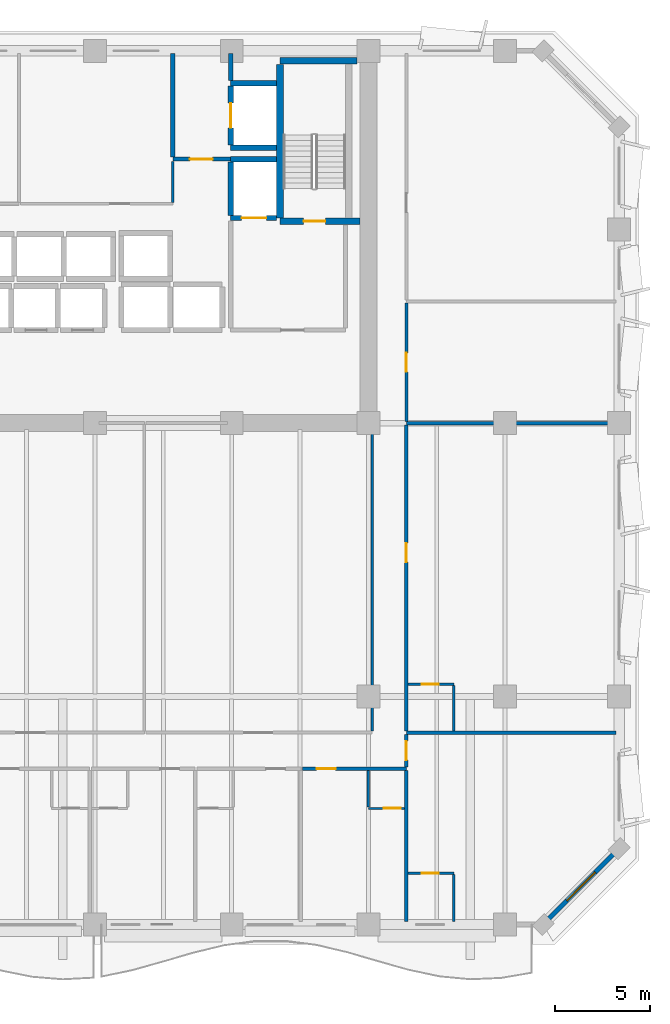
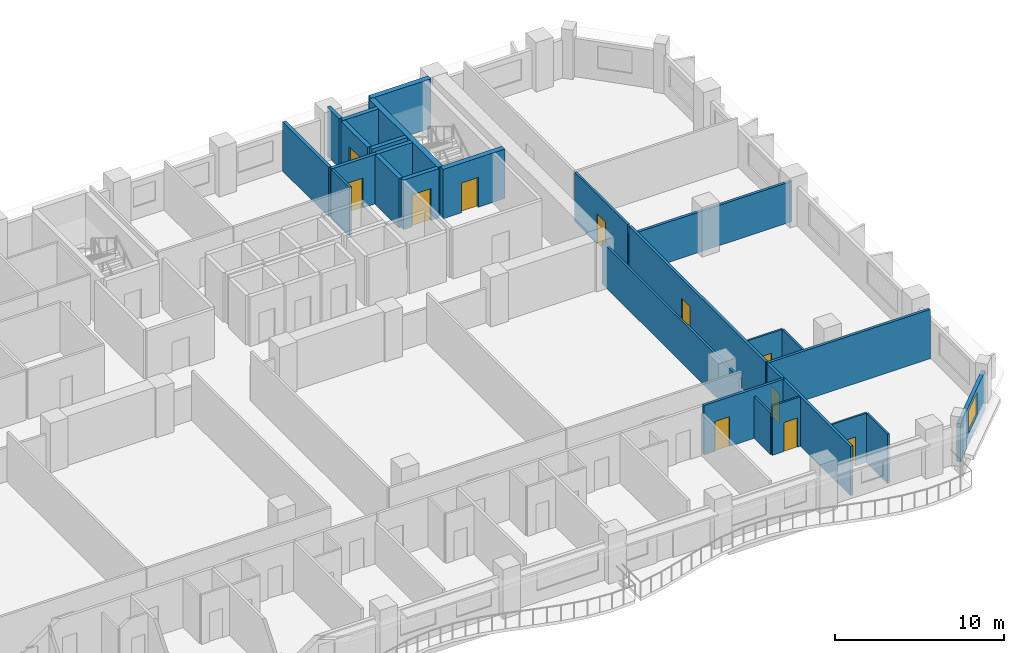
# One storey, part 9 of 15: 28 walls, 11 doors, 1 window, 12 openings.
"""IFC4 building model written with IfcOpenShell, lengths in metres."""

from ifc_helpers import new_model, si_unit, direction, frame, frame_2d, origin, place, context, subcontext, project, spatial, rectangle, extrude, material, layer, layer_set, type_object, element, fill, save


model = new_model("IFC4")

# Units and contexts
model_context = context("Model", 3, precision=1e-05, world=origin(), true_north=direction((0.0, 1.0)))
body_context = subcontext(model_context, "Body", "Model", "MODEL_VIEW")
ifc_project = project(units=[si_unit("LENGTHUNIT", "METRE"), si_unit("AREAUNIT", "SQUARE_METRE"), si_unit("VOLUMEUNIT", "CUBIC_METRE"), si_unit("PLANEANGLEUNIT", "RADIAN"), si_unit("MASSUNIT", "GRAM", prefix="KILO")], contexts=[model_context])

# Site, building, storey
site_placement = place(None, origin())
site = spatial("IfcSite", under=ifc_project, at=site_placement, CompositionType="ELEMENT")
building_placement = place(site_placement, origin())
building = spatial("IfcBuilding", under=site, at=building_placement, Name="Kaelvorn Grand Hotel", CompositionType="ELEMENT")
storey_placement = place(building_placement, frame((0.0, 0.0, 142.949951171875)))
storey = spatial("IfcBuildingStorey", under=building, at=storey_placement, Name="L34", CompositionType="ELEMENT", Elevation=142.949951171875)

# Wall, opening, window
ifc_material_1 = material(Name="Concrete C40/50", Category="concrete")
ifc_layer_1 = layer(ifc_material_1, 0.239990234375)
ifc_layer_set_1 = layer_set([ifc_layer_1], Name="Concrete C40/50")
wall_type_1 = type_object("IfcWallType", Name="WL-EXT-240-C40", PredefinedType="SOLIDWALL", material=ifc_layer_set_1)
wall_1_placement = place(storey_placement, frame((77.0, 3.0, 0.0), z_axis=(0.0, 0.0, 1.0), x_axis=(0.707106781187, 0.707106781187, 0.0)))
wall_1 = element("IfcWall", 1, at=wall_1_placement, inside=storey, type_object=wall_type_1, Name="L34 Exterior Architectural Concrete Wall 02", PredefinedType="SOLIDWALL", context=body_context, shape_type="SweptSolid", body=[
    extrude(rectangle(XDim=5.65673828125, YDim=0.239990234375, at=frame_2d((2.828369140625, 0.0))), origin(), (0.0, 0.0, 1.0), 2.760009765625),
])
opening_1_placement = place(wall_1_placement, frame((1.7783203125, 0.0, 0.85009765625)))
opening_1 = element("IfcOpeningElement", 2, at=opening_1_placement, cuts=wall_1, Name="Opening W7", PredefinedType="OPENING", context=body_context, shape_type="SweptSolid", body=[
    extrude(rectangle(XDim=2.10009765625, YDim=1.60009765625, at=frame_2d((1.050048828125, 0.800048828125))), frame((0.0, 0.1298828125, 0.0), z_axis=(0.0, -1.0, 0.0), x_axis=(1.0, 0.0, 0.0)), (0.0, 0.0, 1.0), 0.260009765625),
])
ifc_material_2 = material(Name="Laminated Low-E Glass", Category="glass")
window_type = type_object("IfcWindowType", Name="WIN-CHM-2100x1600", PartitioningType="SINGLE_PANEL", PredefinedType="WINDOW", material=ifc_material_2)
window_placement = place(opening_1_placement, origin())
window = element("IfcWindow", 3, at=window_placement, inside=storey, type_object=window_type, Name="L34 Chamfered 45-Degree Corner Window SE", OverallHeight=1.60009765625, OverallWidth=2.10009765625, PartitioningType="SINGLE_PANEL", PredefinedType="WINDOW", context=body_context, shape_type="SweptSolid", body=[
    extrude(rectangle(XDim=2.10009765625, YDim=1.60009765625, at=frame_2d((1.050048828125, 0.800048828125))), frame((0.0, 0.030029296875, 0.0), z_axis=(0.0, -1.0, 0.0), x_axis=(1.0, 0.0, 0.0)), (0.0, 0.0, 1.0), 0.06005859375),
])
fill(opening_1, window)

# Wall, opening, door
ifc_material_3 = material(Name="Moisture-Resistant Tile & Stud Board")
ifc_layer_2 = layer(ifc_material_3, 0.125)
ifc_layer_set_2 = layer_set([ifc_layer_2], Name="Moisture-Resistant Tile & Stud Board")
wall_type_2 = type_object("IfcWallType", Name="WL-PART-125-WET", PredefinedType="PARTITIONING", material=ifc_layer_set_2)
wall_2_placement = place(storey_placement, frame((67.800048828125, 9.110107421875, 0.0), z_axis=(0.0, 0.0, 1.0), x_axis=(1.0, 0.0, 0.0)))
wall_2 = element("IfcWall", 4, at=wall_2_placement, inside=storey, type_object=wall_type_2, Name="L34 En-suite Bathroom L34-10 S Partition", PredefinedType="PARTITIONING", context=body_context, shape_type="SweptSolid", body=[
    extrude(rectangle(XDim=1.905029296875, YDim=0.125, at=frame_2d((0.95263671875, 0.0))), origin(), (0.0, 0.0, 1.0), 3.56005859375),
])
opening_2_placement = place(wall_2_placement, frame((0.800048828125, 0.0, 0.0)))
opening_2 = element("IfcOpeningElement", 5, at=opening_2_placement, cuts=wall_2, Name="Opening DI4", PredefinedType="OPENING", context=body_context, shape_type="SweptSolid", body=[
    extrude(rectangle(XDim=0.89990234375, YDim=2.10009765625, at=frame_2d((0.449951171875, 1.050048828125))), frame((0.0, 0.072509765625, 0.0), z_axis=(0.0, -1.0, 0.0), x_axis=(1.0, 0.0, 0.0)), (0.0, 0.0, 1.0), 0.14501953125),
])
ifc_material_4 = material(Name="Timber Veneer Leaf", Category="wood")
door_type_1 = type_object("IfcDoorType", Name="DR-INT-BATH-900x2100", OperationType="NOTDEFINED", PredefinedType="DOOR", material=ifc_material_4)
door_1_placement = place(opening_2_placement, origin())
door_1 = element("IfcDoor", 6, at=door_1_placement, inside=storey, type_object=door_type_1, Name="L34 En-suite Bathroom L34-10 Door", OperationType="SINGLE_SWING_RIGHT", OverallHeight=2.10009765625, OverallWidth=0.89990234375, PredefinedType="DOOR", context=body_context, shape_type="SweptSolid", body=[
    extrude(rectangle(XDim=0.89990234375, YDim=2.10009765625, at=frame_2d((0.449951171875, 1.050048828125))), frame((0.0, 0.02490234375, 0.0), z_axis=(0.0, -1.0, 0.0), x_axis=(1.0, 0.0, 0.0)), (0.0, 0.0, 1.0), 0.050048828125),
])
fill(opening_2, door_1)

# Wall
wall_3_placement = place(storey_placement, frame((67.800048828125, 9.177490234375, 0.0), z_axis=(0.0, 0.0, 1.0), x_axis=(0.0, 1.0, 0.0)))
element("IfcWall", 7, at=wall_3_placement, inside=storey, type_object=wall_type_2, Name="L34 En-suite Bathroom L34-10 W Partition", PredefinedType="PARTITIONING", context=body_context, shape_type="SweptSolid", body=[
    extrude(rectangle(XDim=1.927490234375, YDim=0.125, at=frame_2d((0.9638671875, 0.0))), origin(), (0.0, 0.0, 1.0), 3.010009765625),
])

# Wall, opening, door
wall_4_placement = place(storey_placement, frame((69.89501953125, 5.699951171875, 0.0), z_axis=(0.0, 0.0, 1.0), x_axis=(1.0, 0.0, 0.0)))
wall_4 = element("IfcWall", 8, at=wall_4_placement, inside=storey, type_object=wall_type_2, Name="L34 En-suite Bathroom L34-13 N Partition", PredefinedType="PARTITIONING", context=body_context, shape_type="SweptSolid", body=[
    extrude(rectangle(XDim=2.405029296875, YDim=0.125, at=frame_2d((1.20263671875, 0.0))), origin(), (0.0, 0.0, 1.0), 3.56005859375),
])
opening_3_placement = place(wall_4_placement, frame((0.705078125, 0.0, 0.0)))
opening_3 = element("IfcOpeningElement", 9, at=opening_3_placement, cuts=wall_4, Name="Opening DI4", PredefinedType="OPENING", context=body_context, shape_type="SweptSolid", body=[
    extrude(rectangle(XDim=0.89990234375, YDim=2.10009765625, at=frame_2d((0.449951171875, 1.050048828125))), frame((0.0, 0.072509765625, 0.0), z_axis=(0.0, -1.0, 0.0), x_axis=(1.0, 0.0, 0.0)), (0.0, 0.0, 1.0), 0.14501953125),
])
door_2_placement = place(opening_3_placement, origin())
door_2 = element("IfcDoor", 10, at=door_2_placement, inside=storey, type_object=door_type_1, Name="L34 En-suite Bathroom L34-13 Door", OperationType="SINGLE_SWING_RIGHT", OverallHeight=2.10009765625, OverallWidth=0.89990234375, PredefinedType="DOOR", context=body_context, shape_type="SweptSolid", body=[
    extrude(rectangle(XDim=0.89990234375, YDim=2.10009765625, at=frame_2d((0.449951171875, 1.050048828125))), frame((0.0, 0.02490234375, 0.0), z_axis=(0.0, -1.0, 0.0), x_axis=(1.0, 0.0, 0.0)), (0.0, 0.0, 1.0), 0.050048828125),
])
fill(opening_3, door_2)

# Wall
wall_5_placement = place(storey_placement, frame((72.300048828125, 3.14990234375, 0.0), z_axis=(0.0, 0.0, 1.0), x_axis=(0.0, 1.0, 0.0)))
element("IfcWall", 11, at=wall_5_placement, inside=storey, type_object=wall_type_2, Name="L34 En-suite Bathroom L34-13 E Partition", PredefinedType="PARTITIONING", context=body_context, shape_type="SweptSolid", body=[
    extrude(rectangle(XDim=2.482666015625, YDim=0.125, at=frame_2d((1.2412109375, 0.0))), origin(), (0.0, 0.0, 1.0), 3.56005859375),
])

# Wall, opening, door
wall_6_placement = place(storey_placement, frame((69.89501953125, 15.64990234375, 0.0), z_axis=(0.0, 0.0, 1.0), x_axis=(1.0, 0.0, 0.0)))
wall_6 = element("IfcWall", 12, at=wall_6_placement, inside=storey, type_object=wall_type_2, Name="L34 En-suite Bathroom L34-14 N Partition", PredefinedType="PARTITIONING", context=body_context, shape_type="SweptSolid", body=[
    extrude(rectangle(XDim=2.405029296875, YDim=0.125, at=frame_2d((1.20263671875, 0.0))), origin(), (0.0, 0.0, 1.0), 3.56005859375),
])
opening_4_placement = place(wall_6_placement, frame((0.705078125, 0.0, 0.0)))
opening_4 = element("IfcOpeningElement", 13, at=opening_4_placement, cuts=wall_6, Name="Opening DI4", PredefinedType="OPENING", context=body_context, shape_type="SweptSolid", body=[
    extrude(rectangle(XDim=0.89990234375, YDim=2.10009765625, at=frame_2d((0.449951171875, 1.050048828125))), frame((0.0, 0.072509765625, 0.0), z_axis=(0.0, -1.0, 0.0), x_axis=(1.0, 0.0, 0.0)), (0.0, 0.0, 1.0), 0.14501953125),
])
door_3_placement = place(opening_4_placement, origin())
door_3 = element("IfcDoor", 14, at=door_3_placement, inside=storey, type_object=door_type_1, Name="L34 En-suite Bathroom L34-14 Door", OperationType="SINGLE_SWING_RIGHT", OverallHeight=2.10009765625, OverallWidth=0.89990234375, PredefinedType="DOOR", context=body_context, shape_type="SweptSolid", body=[
    extrude(rectangle(XDim=0.89990234375, YDim=2.10009765625, at=frame_2d((0.449951171875, 1.050048828125))), frame((0.0, 0.02490234375, 0.0), z_axis=(0.0, -1.0, 0.0), x_axis=(1.0, 0.0, 0.0)), (0.0, 0.0, 1.0), 0.050048828125),
])
fill(opening_4, door_3)

# Walls
wall_7_placement = place(storey_placement, frame((72.300048828125, 13.195068359375, 0.0), z_axis=(0.0, 0.0, 1.0), x_axis=(0.0, 1.0, 0.0)))
element("IfcWall", 15, at=wall_7_placement, inside=storey, type_object=wall_type_2, Name="L34 En-suite Bathroom L34-14 E Partition", PredefinedType="PARTITIONING", context=body_context, shape_type="SweptSolid", body=[
    extrude(rectangle(XDim=2.387451171875, YDim=0.125, at=frame_2d((1.19384765625, 0.0))), origin(), (0.0, 0.0, 1.0), 3.56005859375),
])
ifc_material_5 = material(Name="Acoustic Gypsum & Stud Partition")
ifc_layer_3 = layer(ifc_material_5, 0.14990234375)
ifc_layer_set_3 = layer_set([ifc_layer_3], Name="Acoustic Gypsum & Stud Partition")
wall_type_3 = type_object("IfcWallType", Name="WL-PART-150-EI60", PredefinedType="PARTITIONING", material=ifc_layer_set_3)
wall_8_placement = place(storey_placement, frame((57.5, 41.030029296875, 0.0), z_axis=(0.0, 0.0, 1.0), x_axis=(0.0, 1.0, 0.0)))
element("IfcWall", 16, at=wall_8_placement, inside=storey, type_object=wall_type_3, Name="L34 Butler Servery Pantry E Partition", PredefinedType="PARTITIONING", context=body_context, shape_type="SweptSolid", body=[
    extrude(rectangle(XDim=2.155029296875, YDim=0.14990234375, at=frame_2d((1.07763671875, 0.0))), origin(), (0.0, 0.0, 1.0), 3.56005859375),
])
wall_9_placement = place(storey_placement, frame((68.0, 13.179931640625, 0.0), z_axis=(0.0, 0.0, 1.0), x_axis=(0.0, 1.0, 0.0)))
element("IfcWall", 17, at=wall_9_placement, inside=storey, type_object=wall_type_3, Name="L34 Wellness Fitness Gym E Partition", PredefinedType="PARTITIONING", context=body_context, shape_type="SweptSolid", body=[
    extrude(rectangle(XDim=16.2099609375, YDim=0.14990234375, at=frame_2d((8.10498046875, 0.0))), origin(), (0.0, 0.0, 1.0), 3.010009765625),
])

# Wall, opening, door
wall_10_placement = place(storey_placement, frame((69.800048828125, 29.4951171875, 0.0), z_axis=(0.0, 0.0, 1.0), x_axis=(0.0, 1.0, 0.0)))
wall_10 = element("IfcWall", 18, at=wall_10_placement, inside=storey, type_object=wall_type_3, Name="L34 North-East Wellness Fitness Gym W Partition", PredefinedType="PARTITIONING", context=body_context, shape_type="SweptSolid", body=[
    extrude(rectangle(XDim=6.224853515625, YDim=0.14990234375, at=frame_2d((3.1123046875, 0.0))), origin(), (0.0, 0.0, 1.0), 3.56005859375),
])
opening_5_placement = place(wall_10_placement, frame((2.60498046875, 0.0, 0.0)))
opening_5 = element("IfcOpeningElement", 19, at=opening_5_placement, cuts=wall_10, Name="Opening DI3", PredefinedType="OPENING", context=body_context, shape_type="SweptSolid", body=[
    extrude(rectangle(XDim=1.0, YDim=2.14990234375, at=frame_2d((0.5, 1.074951171875))), frame((0.0, 0.0849609375, 0.0), z_axis=(0.0, -1.0, 0.0), x_axis=(1.0, 0.0, 0.0)), (0.0, 0.0, 1.0), 0.169921875),
])
ifc_material_6 = material(Name="Timber Veneer Fire Leaf", Category="wood")
door_type_2 = type_object("IfcDoorType", Name="DR-INT-GUEST-1000x2150", OperationType="NOTDEFINED", PredefinedType="DOOR", material=ifc_material_6)
door_4_placement = place(opening_5_placement, origin())
door_4 = element("IfcDoor", 20, at=door_4_placement, inside=storey, type_object=door_type_2, Name="L34 North-East Wellness Fitness Gym Door", OperationType="SINGLE_SWING_LEFT", OverallHeight=2.14990234375, OverallWidth=1.0, PredefinedType="DOOR", context=body_context, shape_type="SweptSolid", body=[
    extrude(rectangle(XDim=1.0, YDim=2.14990234375, at=frame_2d((0.5, 1.074951171875))), frame((0.0, 0.02490234375, 0.0), z_axis=(0.0, -1.0, 0.0), x_axis=(1.0, 0.0, 0.0)), (0.0, 0.0, 1.0), 0.050048828125),
])
fill(opening_5, door_4)

ifc_layer_4 = layer(ifc_material_5, 0.179931640625)
ifc_layer_set_4 = layer_set([ifc_layer_4], Name="Acoustic Gypsum & Stud Partition")
wall_type_4 = type_object("IfcWallType", Name="WL-PART-180-EI60", PredefinedType="PARTITIONING", material=ifc_layer_set_4)
wall_11_placement = place(storey_placement, frame((64.3349609375, 11.199951171875, 0.0), z_axis=(0.0, 0.0, 1.0), x_axis=(1.0, 0.0, 0.0)))
wall_11 = element("IfcWall", 21, at=wall_11_placement, inside=storey, type_object=wall_type_4, Name="L34 Superior King Guest Room L34-10 N Partition", PredefinedType="PARTITIONING", context=body_context, shape_type="SweptSolid", body=[
    extrude(rectangle(XDim=5.465087890625, YDim=0.179931640625, at=frame_2d((2.732421875, 0.0))), origin(), (0.0, 0.0, 1.0), 3.56005859375),
])
opening_6_placement = place(wall_11_placement, frame((0.735107421875, 0.0, 0.0)))
opening_6 = element("IfcOpeningElement", 22, at=opening_6_placement, cuts=wall_11, Name="Opening DI3", PredefinedType="OPENING", context=body_context, shape_type="SweptSolid", body=[
    extrude(rectangle(XDim=1.0, YDim=2.14990234375, at=frame_2d((0.5, 1.074951171875))), frame((0.0, 0.10009765625, 0.0), z_axis=(0.0, -1.0, 0.0), x_axis=(1.0, 0.0, 0.0)), (0.0, 0.0, 1.0), 0.199951171875),
])
door_5_placement = place(opening_6_placement, origin())
door_5 = element("IfcDoor", 23, at=door_5_placement, inside=storey, type_object=door_type_2, Name="L34 Superior King Guest Room L34-10 Door", OperationType="SINGLE_SWING_LEFT", OverallHeight=2.14990234375, OverallWidth=1.0, PredefinedType="DOOR", context=body_context, shape_type="SweptSolid", body=[
    extrude(rectangle(XDim=1.0, YDim=2.14990234375, at=frame_2d((0.5, 1.074951171875))), frame((0.0, 0.02490234375, 0.0), z_axis=(0.0, -1.0, 0.0), x_axis=(1.0, 0.0, 0.0)), (0.0, 0.0, 1.0), 0.050048828125),
])
fill(opening_6, door_5)

# Walls
wall_12_placement = place(storey_placement, frame((69.800048828125, 3.14990234375, 0.0), z_axis=(0.0, 0.0, 1.0), x_axis=(0.0, 1.0, 0.0)))
element("IfcWall", 24, at=wall_12_placement, inside=storey, type_object=wall_type_4, Name="L34 Superior King Guest Room L34-10 E Partition", PredefinedType="PARTITIONING", context=body_context, shape_type="SweptSolid", body=[
    extrude(rectangle(XDim=7.955078125, YDim=0.179931640625, at=frame_2d((3.9775390625, 0.0))), origin(), (0.0, 0.0, 1.0), 3.56005859375),
])
wall_13_placement = place(storey_placement, frame((69.800048828125, 13.10009765625, 0.0), z_axis=(0.0, 0.0, 1.0), x_axis=(1.0, 0.0, 0.0)))
element("IfcWall", 25, at=wall_13_placement, inside=storey, type_object=wall_type_4, Name="L34 South-East Chamfer Suite L34-13 N Partition", PredefinedType="PARTITIONING", context=body_context, shape_type="SweptSolid", body=[
    extrude(rectangle(XDim=11.050048828125, YDim=0.179931640625, at=frame_2d((5.52490234375, 0.0))), origin(), (0.0, 0.0, 1.0), 3.56005859375),
])

# Wall, opening, door
wall_14_placement = place(storey_placement, frame((69.800048828125, 11.294921875, 0.0), z_axis=(0.0, 0.0, 1.0), x_axis=(0.0, 1.0, 0.0)))
wall_14 = element("IfcWall", 26, at=wall_14_placement, inside=storey, type_object=wall_type_4, Name="L34 South-East Chamfer Suite L34-13 W Partition", PredefinedType="PARTITIONING", context=body_context, shape_type="SweptSolid", body=[
    extrude(rectangle(XDim=1.7099609375, YDim=0.179931640625, at=frame_2d((0.85498046875, 0.0))), origin(), (0.0, 0.0, 1.0), 3.56005859375),
])
opening_7_placement = place(wall_14_placement, frame((0.35498046875, 0.0, 0.0)))
opening_7 = element("IfcOpeningElement", 27, at=opening_7_placement, cuts=wall_14, Name="Opening DI3", PredefinedType="OPENING", context=body_context, shape_type="SweptSolid", body=[
    extrude(rectangle(XDim=1.0, YDim=2.14990234375, at=frame_2d((0.5, 1.074951171875))), frame((0.0, 0.10009765625, 0.0), z_axis=(0.0, -1.0, 0.0), x_axis=(1.0, 0.0, 0.0)), (0.0, 0.0, 1.0), 0.199951171875),
])
door_6_placement = place(opening_7_placement, origin())
door_6 = element("IfcDoor", 28, at=door_6_placement, inside=storey, type_object=door_type_2, Name="L34 South-East Chamfer Suite L34-13 Door", OperationType="SINGLE_SWING_LEFT", OverallHeight=2.14990234375, OverallWidth=1.0, PredefinedType="DOOR", context=body_context, shape_type="SweptSolid", body=[
    extrude(rectangle(XDim=1.0, YDim=2.14990234375, at=frame_2d((0.5, 1.074951171875))), frame((0.0, 0.02490234375, 0.0), z_axis=(0.0, -1.0, 0.0), x_axis=(1.0, 0.0, 0.0)), (0.0, 0.0, 1.0), 0.050048828125),
])
fill(opening_7, door_6)

# Wall
wall_15_placement = place(storey_placement, frame((69.800048828125, 29.39990234375, 0.0), z_axis=(0.0, 0.0, 1.0), x_axis=(1.0, 0.0, 0.0)))
element("IfcWall", 29, at=wall_15_placement, inside=storey, type_object=wall_type_4, Name="L34 East End Panoramic Suite L34-14 N Partition", PredefinedType="PARTITIONING", context=body_context, shape_type="SweptSolid", body=[
    extrude(rectangle(XDim=11.050048828125, YDim=0.179931640625, at=frame_2d((5.52490234375, 0.0))), origin(), (0.0, 0.0, 1.0), 2.91015625),
])

# Wall, opening, door
wall_16_placement = place(storey_placement, frame((69.800048828125, 13.195068359375, 0.0), z_axis=(0.0, 0.0, 1.0), x_axis=(0.0, 1.0, 0.0)))
wall_16 = element("IfcWall", 30, at=wall_16_placement, inside=storey, type_object=wall_type_4, Name="L34 East End Panoramic Suite L34-14 W Partition", PredefinedType="PARTITIONING", context=body_context, shape_type="SweptSolid", body=[
    extrude(rectangle(XDim=16.10986328125, YDim=0.179931640625, at=frame_2d((8.054931640625, 0.0))), origin(), (0.0, 0.0, 1.0), 3.56005859375),
])
opening_8_placement = place(wall_16_placement, frame((8.889892578125, 0.0, 0.0)))
opening_8 = element("IfcOpeningElement", 31, at=opening_8_placement, cuts=wall_16, Name="Opening DI3", PredefinedType="OPENING", context=body_context, shape_type="SweptSolid", body=[
    extrude(rectangle(XDim=1.0, YDim=2.14990234375, at=frame_2d((0.5, 1.074951171875))), frame((0.0, 0.10009765625, 0.0), z_axis=(0.0, -1.0, 0.0), x_axis=(1.0, 0.0, 0.0)), (0.0, 0.0, 1.0), 0.199951171875),
])
door_7_placement = place(opening_8_placement, origin())
door_7 = element("IfcDoor", 32, at=door_7_placement, inside=storey, type_object=door_type_2, Name="L34 East End Panoramic Suite L34-14 Door", OperationType="SINGLE_SWING_LEFT", OverallHeight=2.14990234375, OverallWidth=1.0, PredefinedType="DOOR", context=body_context, shape_type="SweptSolid", body=[
    extrude(rectangle(XDim=1.0, YDim=2.14990234375, at=frame_2d((0.5, 1.074951171875))), frame((0.0, 0.02490234375, 0.0), z_axis=(0.0, -1.0, 0.0), x_axis=(1.0, 0.0, 0.0)), (0.0, 0.0, 1.0), 0.050048828125),
])
fill(opening_8, door_7)

ifc_layer_5 = layer(ifc_material_1, 0.219970703125)
ifc_layer_set_5 = layer_set([ifc_layer_5], Name="Concrete C40/50")
wall_type_5 = type_object("IfcWallType", Name="WL-PART-220-EI120", PredefinedType="PARTITIONING", material=ifc_layer_set_5)
wall_17_placement = place(storey_placement, frame((57.5, 43.300048828125, 0.0), z_axis=(0.0, 0.0, 1.0), x_axis=(1.0, 0.0, 0.0)))
wall_17 = element("IfcWall", 33, at=wall_17_placement, inside=storey, type_object=wall_type_5, Name="L34 Service Lift Lobby S Partition", PredefinedType="PARTITIONING", context=body_context, shape_type="SweptSolid", body=[
    extrude(rectangle(XDim=3.0400390625, YDim=0.219970703125, at=frame_2d((1.52001953125, 0.0))), origin(), (0.0, 0.0, 1.0), 3.56005859375),
])
opening_9_placement = place(wall_17_placement, frame((0.89990234375, 0.0, 0.0)))
opening_9 = element("IfcOpeningElement", 34, at=opening_9_placement, cuts=wall_17, Name="Opening DI2", PredefinedType="OPENING", context=body_context, shape_type="SweptSolid", body=[
    extrude(rectangle(XDim=1.199951171875, YDim=2.14990234375, at=frame_2d((0.60009765625, 1.074951171875))), frame((0.0, 0.1201171875, 0.0), z_axis=(0.0, -1.0, 0.0), x_axis=(1.0, 0.0, 0.0)), (0.0, 0.0, 1.0), 0.239990234375),
])
door_type_3 = type_object("IfcDoorType", Name="DR-INT-FFLOB-1200x2150", OperationType="NOTDEFINED", PredefinedType="DOOR", material=ifc_material_6)
door_8_placement = place(opening_9_placement, origin())
door_8 = element("IfcDoor", 35, at=door_8_placement, inside=storey, type_object=door_type_3, Name="L34 Service Lift Lobby Door", OperationType="SINGLE_SWING_LEFT", OverallHeight=2.14990234375, OverallWidth=1.199951171875, PredefinedType="DOOR", context=body_context, shape_type="SweptSolid", body=[
    extrude(rectangle(XDim=1.199951171875, YDim=2.14990234375, at=frame_2d((0.60009765625, 1.074951171875))), frame((0.0, 0.02490234375, 0.0), z_axis=(0.0, -1.0, 0.0), x_axis=(1.0, 0.0, 0.0)), (0.0, 0.0, 1.0), 0.050048828125),
])
fill(opening_9, door_8)

# Walls
wall_18_placement = place(storey_placement, frame((57.5, 43.4150390625, 0.0), z_axis=(0.0, 0.0, 1.0), x_axis=(0.0, 1.0, 0.0)))
element("IfcWall", 36, at=wall_18_placement, inside=storey, type_object=wall_type_5, Name="L34 Service Lift Lobby W Partition", PredefinedType="PARTITIONING", context=body_context, shape_type="SweptSolid", body=[
    extrude(rectangle(XDim=5.43505859375, YDim=0.219970703125, at=frame_2d((2.717529296875, 0.0))), origin(), (0.0, 0.0, 1.0), 3.56005859375),
])
wall_19_placement = place(storey_placement, frame((60.550048828125, 47.445068359375, 0.0), z_axis=(0.0, 0.0, 1.0), x_axis=(0.0, 1.0, 0.0)))
element("IfcWall", 37, at=wall_19_placement, inside=storey, type_object=wall_type_5, Name="L34 Service Lift Lobby E Partition", PredefinedType="PARTITIONING", context=body_context, shape_type="SweptSolid", body=[
    extrude(rectangle(XDim=1.405029296875, YDim=0.219970703125, at=frame_2d((0.70263671875, 0.0))), origin(), (0.0, 0.0, 1.0), 3.56005859375),
])

# Wall, opening, door
ifc_material_7 = material(Name="Concrete C50/60", Category="concrete")
ifc_layer_6 = layer(ifc_material_7, 0.280029296875)
ifc_layer_set_6 = layer_set([ifc_layer_6], Name="Concrete C50/60")
wall_type_6 = type_object("IfcWallType", Name="WL-SHAFT-280-C50", PredefinedType="SHEAR", material=ifc_layer_set_6)
wall_20_placement = place(storey_placement, frame((60.550048828125, 40.199951171875, 0.0), z_axis=(0.0, 0.0, 1.0), x_axis=(1.0, 0.0, 0.0)))
wall_20 = element("IfcWall", 38, at=wall_20_placement, inside=storey, type_object=wall_type_6, Name="L34 Lift FFL2 Shaft South Wall", PredefinedType="SHEAR", context=body_context, shape_type="SweptSolid", body=[
    extrude(rectangle(XDim=2.4150390625, YDim=0.280029296875, at=frame_2d((1.20751953125, 0.0))), origin(), (0.0, 0.0, 1.0), 3.56005859375),
])
opening_10_placement = place(wall_20_placement, frame((0.574951171875, 0.0, 0.0)))
opening_10 = element("IfcOpeningElement", 39, at=opening_10_placement, cuts=wall_20, Name="Opening LD-FFL2", PredefinedType="OPENING", context=body_context, shape_type="SweptSolid", body=[
    extrude(rectangle(XDim=1.300048828125, YDim=2.300048828125, at=frame_2d((0.64990234375, 1.14990234375))), frame((0.0, 0.14990234375, 0.0), z_axis=(0.0, -1.0, 0.0), x_axis=(1.0, 0.0, 0.0)), (0.0, 0.0, 1.0), 0.300048828125),
])
ifc_material_8 = material(Name="Stainless Steel", Category="steel")
door_type_4 = type_object("IfcDoorType", Name="DR-LIFT-SERV-1300x2300", OperationType="DOUBLE_DOOR_SLIDING", PredefinedType="DOOR", material=ifc_material_8)
door_9_placement = place(opening_10_placement, origin())
door_9 = element("IfcDoor", 40, at=door_9_placement, inside=storey, type_object=door_type_4, Name="L34 Lift FFL2 Sliding Landing Door LD-FFL2", OperationType="DOUBLE_DOOR_SLIDING", OverallHeight=2.300048828125, OverallWidth=1.300048828125, PredefinedType="DOOR", context=body_context, shape_type="SweptSolid", body=[
    extrude(rectangle(XDim=1.300048828125, YDim=2.300048828125, at=frame_2d((0.64990234375, 1.14990234375))), frame((0.0, 0.02490234375, 0.0), z_axis=(0.0, -1.0, 0.0), x_axis=(1.0, 0.0, 0.0)), (0.0, 0.0, 1.0), 0.050048828125),
])
fill(opening_10, door_9)

# Walls
wall_21_placement = place(storey_placement, frame((60.550048828125, 43.300048828125, 0.0), z_axis=(0.0, 0.0, 1.0), x_axis=(1.0, 0.0, 0.0)))
element("IfcWall", 41, at=wall_21_placement, inside=storey, type_object=wall_type_6, Name="L34 Lift FFL2 Shaft North Wall", PredefinedType="SHEAR", context=body_context, shape_type="SweptSolid", body=[
    extrude(rectangle(XDim=2.4150390625, YDim=0.280029296875, at=frame_2d((1.20751953125, 0.0))), origin(), (0.0, 0.0, 1.0), 3.56005859375),
])
wall_22_placement = place(storey_placement, frame((60.550048828125, 40.344970703125, 0.0), z_axis=(0.0, 0.0, 1.0), x_axis=(0.0, 1.0, 0.0)))
element("IfcWall", 42, at=wall_22_placement, inside=storey, type_object=wall_type_6, Name="L34 Lift FFL2 Shaft West Wall", PredefinedType="SHEAR", context=body_context, shape_type="SweptSolid", body=[
    extrude(rectangle(XDim=2.81005859375, YDim=0.280029296875, at=frame_2d((1.405029296875, 0.0))), origin(), (0.0, 0.0, 1.0), 3.56005859375),
])
for number, where, z_axis, x_axis, name in (
    (43, (60.550048828125, 43.89990234375, 0.0), (0.0, 0.0, 1.0), (1.0, 0.0, 0.0), "L34 Lift SV1 Shaft South Wall"),
    (44, (60.550048828125, 47.300048828125, 0.0), (0.0, 0.0, 1.0), (1.0, 0.0, 0.0), "L34 Lift SV1 Shaft North Wall"),
):
    element("IfcWall", number, at=place(storey_placement, frame(where, z_axis=z_axis, x_axis=x_axis)), inside=storey, type_object=wall_type_6, Name=name, PredefinedType="SHEAR", context=body_context, shape_type="SweptSolid", body=[
        extrude(rectangle(XDim=2.4150390625, YDim=0.280029296875, at=frame_2d((1.20751953125, 0.0))), origin(), (0.0, 0.0, 1.0), 3.56005859375),
    ])

# Wall, opening, door
wall_23_placement = place(storey_placement, frame((60.550048828125, 44.044921875, 0.0), z_axis=(0.0, 0.0, 1.0), x_axis=(0.0, 1.0, 0.0)))
wall_23 = element("IfcWall", 45, at=wall_23_placement, inside=storey, type_object=wall_type_6, Name="L34 Lift SV1 Shaft West Wall", PredefinedType="SHEAR", context=body_context, shape_type="SweptSolid", body=[
    extrude(rectangle(XDim=3.110107421875, YDim=0.280029296875, at=frame_2d((1.55517578125, 0.0))), origin(), (0.0, 0.0, 1.0), 3.56005859375),
])
opening_11_placement = place(wall_23_placement, frame((0.905029296875, 0.0, 0.0)))
opening_11 = element("IfcOpeningElement", 46, at=opening_11_placement, cuts=wall_23, Name="Opening LD-SV1", PredefinedType="OPENING", context=body_context, shape_type="SweptSolid", body=[
    extrude(rectangle(XDim=1.300048828125, YDim=2.300048828125, at=frame_2d((0.64990234375, 1.14990234375))), frame((0.0, 0.14990234375, 0.0), z_axis=(0.0, -1.0, 0.0), x_axis=(1.0, 0.0, 0.0)), (0.0, 0.0, 1.0), 0.300048828125),
])
door_10_placement = place(opening_11_placement, origin())
door_10 = element("IfcDoor", 47, at=door_10_placement, inside=storey, type_object=door_type_4, Name="L34 Lift SV1 Sliding Landing Door LD-SV1", OperationType="DOUBLE_DOOR_SLIDING", OverallHeight=2.300048828125, OverallWidth=1.300048828125, PredefinedType="DOOR", context=body_context, shape_type="SweptSolid", body=[
    extrude(rectangle(XDim=1.300048828125, YDim=2.300048828125, at=frame_2d((0.64990234375, 1.14990234375))), frame((0.0, 0.02490234375, 0.0), z_axis=(0.0, -1.0, 0.0), x_axis=(1.0, 0.0, 0.0)), (0.0, 0.0, 1.0), 0.050048828125),
])
fill(opening_11, door_10)

ifc_material_9 = material(Name="Concrete C60/75", Category="concrete")
ifc_layer_7 = layer(ifc_material_9, 0.35009765625)
ifc_layer_set_7 = layer_set([ifc_layer_7], Name="Concrete C60/75")
wall_type_7 = type_object("IfcWallType", Name="WL-SHAFT-350-C60", PredefinedType="SHEAR", material=ifc_layer_set_7)
wall_24_placement = place(storey_placement, frame((63.14501953125, 40.02490234375, 0.0), z_axis=(0.0, 0.0, 1.0), x_axis=(1.0, 0.0, 0.0)))
wall_24 = element("IfcWall", 48, at=wall_24_placement, inside=storey, type_object=wall_type_7, Name="L34 ST3 Stair Shaft South Wall", PredefinedType="SHEAR", context=body_context, shape_type="SweptSolid", body=[
    extrude(rectangle(XDim=4.199951171875, YDim=0.35009765625, at=frame_2d((2.10009765625, 0.0))), origin(), (0.0, 0.0, 1.0), 3.56005859375),
])
opening_12_placement = place(wall_24_placement, frame((1.239990234375, 0.0, 0.0)))
opening_12 = element("IfcOpeningElement", 49, at=opening_12_placement, cuts=wall_24, Name="Opening DI1", PredefinedType="OPENING", context=body_context, shape_type="SweptSolid", body=[
    extrude(rectangle(XDim=1.14990234375, YDim=2.14990234375, at=frame_2d((0.574951171875, 1.074951171875))), frame((0.0, 0.18505859375, 0.0), z_axis=(0.0, -1.0, 0.0), x_axis=(1.0, 0.0, 0.0)), (0.0, 0.0, 1.0), 0.3701171875),
])
door_type_5 = type_object("IfcDoorType", Name="DR-INT-STAIR-1150x2150", OperationType="NOTDEFINED", PredefinedType="DOOR", material=ifc_material_6)
door_11_placement = place(opening_12_placement, origin())
door_11 = element("IfcDoor", 50, at=door_11_placement, inside=storey, type_object=door_type_5, Name="L34 ST3 Exit Stair Fire Door", OperationType="SINGLE_SWING_LEFT", OverallHeight=2.14990234375, OverallWidth=1.14990234375, PredefinedType="DOOR", context=body_context, shape_type="SweptSolid", body=[
    extrude(rectangle(XDim=1.14990234375, YDim=2.14990234375, at=frame_2d((0.574951171875, 1.074951171875))), frame((0.0, 0.02490234375, 0.0), z_axis=(0.0, -1.0, 0.0), x_axis=(1.0, 0.0, 0.0)), (0.0, 0.0, 1.0), 0.050048828125),
])
fill(opening_12, door_11)

# Walls
wall_25_placement = place(storey_placement, frame((63.14501953125, 48.47509765625, 0.0), z_axis=(0.0, 0.0, 1.0), x_axis=(1.0, 0.0, 0.0)))
element("IfcWall", 51, at=wall_25_placement, inside=storey, type_object=wall_type_7, Name="L34 ST3 Stair Shaft North Wall", PredefinedType="SHEAR", context=body_context, shape_type="SweptSolid", body=[
    extrude(rectangle(XDim=4.050048828125, YDim=0.35009765625, at=frame_2d((2.02490234375, 0.0))), origin(), (0.0, 0.0, 1.0), 3.56005859375),
])
wall_26_placement = place(storey_placement, frame((63.14501953125, 40.205078125, 0.0), z_axis=(0.0, 0.0, 1.0), x_axis=(0.0, 1.0, 0.0)))
element("IfcWall", 52, at=wall_26_placement, inside=storey, type_object=wall_type_7, Name="L34 ST3 Stair Shaft West Wall", PredefinedType="SHEAR", context=body_context, shape_type="SweptSolid", body=[
    extrude(rectangle(XDim=8.08984375, YDim=0.35009765625, at=frame_2d((4.044921875, 0.0))), origin(), (0.0, 0.0, 1.0), 3.56005859375),
])

save(model, "model.ifc")
